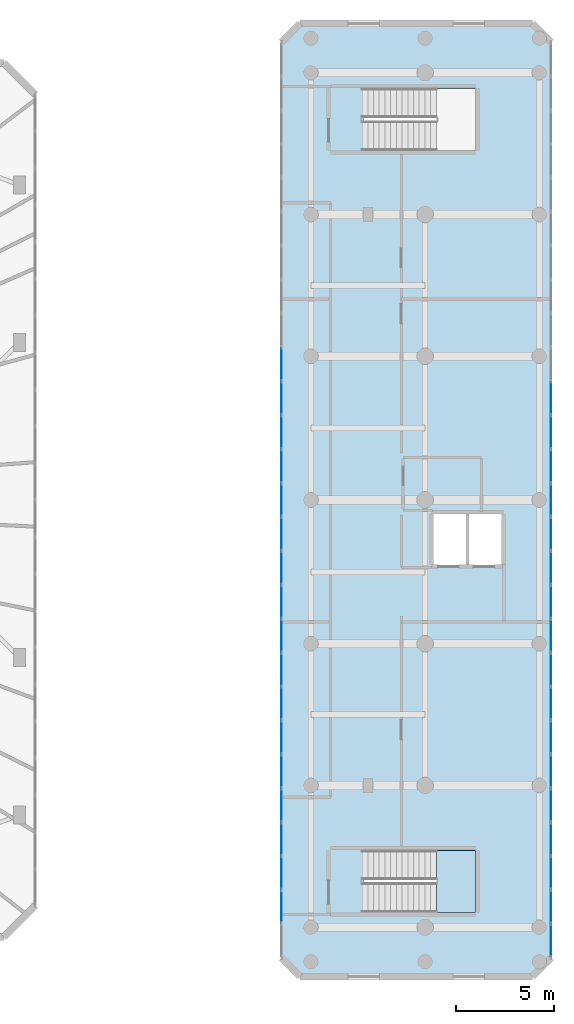
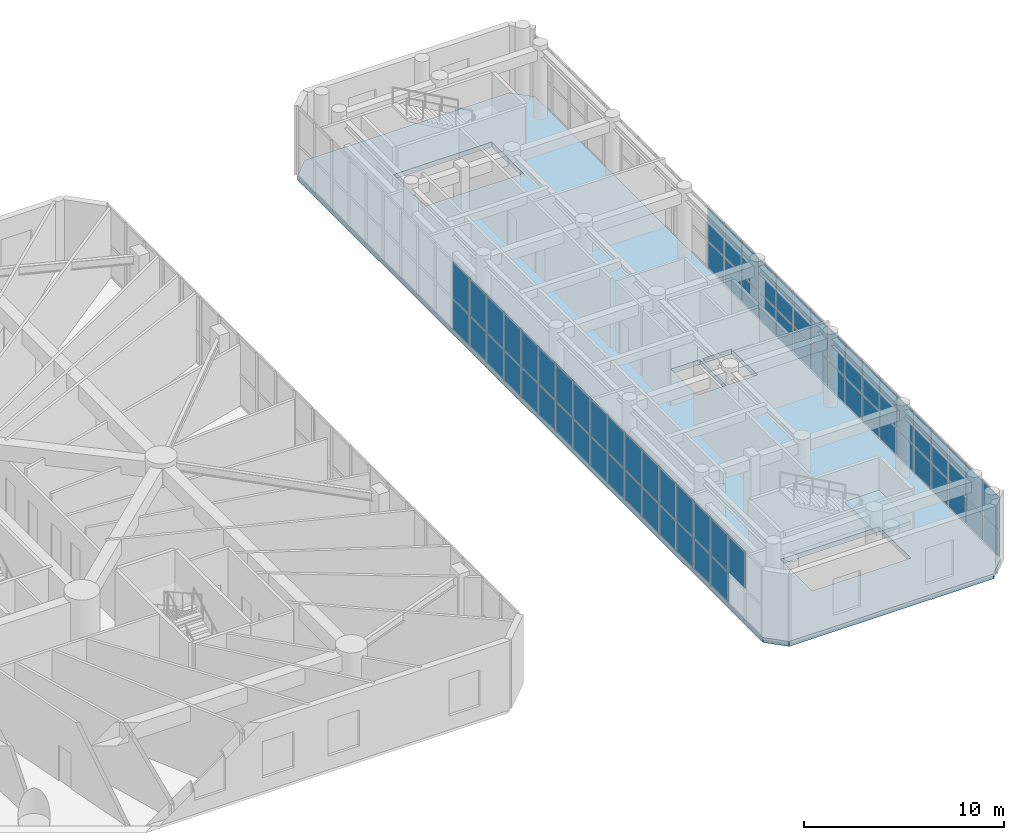
# One storey, part 10 of 24: 67 plates, 2 slabs, 3 elements without a shape of their own.
"""IFC4 building model written with IfcOpenShell, lengths in metres."""

from ifc_helpers import new_model, si_unit, direction, frame, origin, origin_with_axes, origin_2d, place, context, subcontext, project, spatial, polyline, rectangle, outline, extrude, source, transform, mapped, material, layer, layer_set, type_object, element, aggregate, save


model = new_model("IFC4")

# Units and contexts
model_context = context("Model", 3, precision=1e-05, world=origin(), true_north=direction((0.0, 1.0)))
body_context = subcontext(model_context, "Body", "Model", "MODEL_VIEW")
ifc_project = project(units=[si_unit("LENGTHUNIT", "METRE"), si_unit("AREAUNIT", "SQUARE_METRE"), si_unit("VOLUMEUNIT", "CUBIC_METRE"), si_unit("PLANEANGLEUNIT", "RADIAN"), si_unit("MASSUNIT", "GRAM", prefix="KILO")], contexts=[model_context])

# Site, building, storey
site_placement = place(None, origin())
site = spatial("IfcSite", under=ifc_project, at=site_placement, CompositionType="ELEMENT")
building_placement = place(site_placement, origin())
building = spatial("IfcBuilding", under=site, at=building_placement, Name="Karkom Vertical University and Central Library", CompositionType="ELEMENT")
storey_placement = place(building_placement, frame((0.0, 0.0, 13.5)))
storey = spatial("IfcBuildingStorey", under=building, at=storey_placement, Name="L03", CompositionType="ELEMENT", Elevation=13.5)

# Stair, slab
ifc_material_1 = material(Name="Concrete C45/55", Category="concrete")
stair_type = type_object("IfcStairType", Name="INT-STR-ST-LIB", PredefinedType="HALF_TURN_STAIR", material=ifc_material_1)
stair_placement = place(storey_placement, origin())
stair = element("IfcStair", 1, at=stair_placement, inside=storey, type_object=stair_type, Name="Level 03 Central Library South Exit Stair LIB-ST1", PredefinedType="HALF_TURN_STAIR")
ifc_layer_1 = layer(ifc_material_1, 0.199951171875)
ifc_layer_set_1 = layer_set([ifc_layer_1], Name="Concrete C45/55")
slab_type_1 = type_object("IfcSlabType", Name="INT-SLB-LANDING", PredefinedType="LANDING", material=ifc_layer_set_1)
slab_1_placement = place(storey_placement, frame((0.0, 0.0, 2.050048828125)))
slab_1 = element("IfcSlab", 2, at=slab_1_placement, type_object=slab_type_1, Name="LIB-ST1 landing 1", PredefinedType="LANDING", context=body_context, shape_type="SweptSolid", body=[
    extrude(outline(polyline([(75.969970703125, 5.550048828125), (77.949951171875, 5.550048828125), (77.949951171875, 8.7099609375), (75.969970703125, 8.7099609375), (75.969970703125, 5.550048828125)])), origin(), (0.0, 0.0, 1.0), 0.199951171875),
])
aggregate(stair, [slab_1])

# Slab
ifc_layer_2 = layer(ifc_material_1, 0.300048828125)
ifc_layer_set_2 = layer_set([ifc_layer_2], Name="Concrete C45/55")
slab_type_2 = type_object("IfcSlabType", Name="STR-SLB-FLR-300", PredefinedType="FLOOR", material=ifc_layer_set_2)
slab_2_placement = place(storey_placement, frame((0.0, 0.0, -0.300048828125)))
element("IfcSlab", 3, at=slab_2_placement, inside=storey, type_object=slab_type_2, Name="Level 03 Central Library Floor Slab", PredefinedType="FLOOR", context=body_context, shape_type="SweptSolid", body=[
    extrude(outline(polyline([(69.050048828125, 2.300048828125), (80.85009765625, 2.300048828125), (81.800048828125, 3.25), (81.800048828125, 49.75), (80.85009765625, 50.699951171875), (69.050048828125, 50.699951171875), (68.10009765625, 49.75), (68.10009765625, 3.25), (69.050048828125, 2.300048828125)]), holes=[polyline([(72.264892578125, 5.550048828125), (77.949951171875, 5.550048828125), (77.949951171875, 8.7099609375), (72.264892578125, 8.7099609375), (72.264892578125, 5.550048828125)]), polyline([(72.264892578125, 44.25), (77.949951171875, 44.25), (77.949951171875, 47.409912109375), (72.264892578125, 47.409912109375), (72.264892578125, 44.25)]), polyline([(75.800048828125, 23.199951171875), (77.47998046875, 23.199951171875), (77.47998046875, 25.800048828125), (75.800048828125, 25.800048828125), (75.800048828125, 23.199951171875)]), polyline([(77.6201171875, 23.199951171875), (79.300048828125, 23.199951171875), (79.300048828125, 25.800048828125), (77.6201171875, 25.800048828125), (77.6201171875, 23.199951171875)])]), origin(), (0.0, 0.0, 1.0), 0.300048828125),
])

# Curtain wall, plates
ifc_material_2 = material(Name="Aluminium curtain-wall framing and low-E IGU", Category="aluminium")
ifc_layer_3 = layer(ifc_material_2, 0.199951171875)
ifc_layer_set_3 = layer_set([ifc_layer_3], Name="Aluminium curtain-wall framing and low-E IGU")
curtain_wall_type = type_object("IfcCurtainWallType", Name="ENV-CW-1", PredefinedType="USERDEFINED", material=ifc_layer_set_3)
curtain_wall_1_placement = place(storey_placement, origin())
curtain_wall_1 = element("IfcCurtainWall", 4, at=curtain_wall_1_placement, inside=storey, type_object=curtain_wall_type, Name="Level 03 CW-1 Curtain Wall Level 03-CW-1-LIB-3", ObjectType="STICK MULLION GLAZING", PredefinedType="USERDEFINED")
ifc_material_3 = material(Name="Solar-control low-E double glazing 28mm", Category="glass")
ifc_layer_4 = layer(ifc_material_3, 0.028076171875)
ifc_layer_set_4 = layer_set([ifc_layer_4], Name="Solar-control low-E double glazing 28mm")
plate_type = type_object("IfcPlateType", Name="ENV-PLT-GLZ-28", PredefinedType="CURTAIN_PANEL", material=ifc_layer_set_4)
shared_shape_1 = source(origin_with_axes(), body_context, "Body", "SweptSolid", [
    extrude(rectangle(XDim=1.6171875, YDim=0.028076171875, at=origin_2d()), origin(), (0.0, 0.0, 1.0), 1.59375),
])
plate_1_placement = place(storey_placement, frame((81.800048828125, 4.128662109375, 0.070068359375), z_axis=(0.0, 0.0, 1.0), x_axis=(0.0, 1.0, 0.0)))
plate_1 = element("IfcPlate", 5, at=plate_1_placement, type_object=plate_type, Name="CW-1 panel 1.1", PredefinedType="CURTAIN_PANEL", context=body_context, shape_type="MappedRepresentation", body=[
    mapped(shared_shape_1, transform((0.0, 0.0, 0.0), scale=1.0)),
])
shared_shape_2 = source(origin_with_axes(), body_context, "Body", "SweptSolid", [
    extrude(rectangle(XDim=1.6171875, YDim=0.028076171875, at=origin_2d()), origin(), (0.0, 0.0, 1.0), 1.97119140625),
])
plate_2_placement = place(storey_placement, frame((81.800048828125, 4.128662109375, 1.73388671875), z_axis=(0.0, 0.0, 1.0), x_axis=(0.0, 1.0, 0.0)))
plate_2 = element("IfcPlate", 6, at=plate_2_placement, type_object=plate_type, Name="CW-1 panel 1.2", PredefinedType="CURTAIN_PANEL", context=body_context, shape_type="MappedRepresentation", body=[
    mapped(shared_shape_2, transform((0.0, 0.0, 0.0), scale=1.0)),
])
shared_shape_3 = source(origin_with_axes(), body_context, "Body", "SweptSolid", [
    extrude(rectangle(XDim=1.65234375, YDim=0.028076171875, at=origin_2d()), origin(), (0.0, 0.0, 1.0), 1.59375),
])
plate_3_placement = place(storey_placement, frame((81.800048828125, 5.833251953125, 0.070068359375), z_axis=(0.0, 0.0, 1.0), x_axis=(0.0, 1.0, 0.0)))
plate_3 = element("IfcPlate", 7, at=plate_3_placement, type_object=plate_type, Name="CW-1 panel 2.1", PredefinedType="CURTAIN_PANEL", context=body_context, shape_type="MappedRepresentation", body=[
    mapped(shared_shape_3, transform((0.0, 0.0, 0.0), scale=1.0)),
])
plate_4_placement = place(storey_placement, frame((81.800048828125, 7.5556640625, 0.070068359375), z_axis=(0.0, 0.0, 1.0), x_axis=(0.0, 1.0, 0.0)))
plate_4 = element("IfcPlate", 8, at=plate_4_placement, type_object=plate_type, Name="CW-1 panel 3.1", PredefinedType="CURTAIN_PANEL", context=body_context, shape_type="MappedRepresentation", body=[
    mapped(shared_shape_3, transform((0.0, 0.0, 0.0), scale=1.0)),
])
plate_5_placement = place(storey_placement, frame((81.800048828125, 9.27783203125, 0.070068359375), z_axis=(0.0, 0.0, 1.0), x_axis=(0.0, 1.0, 0.0)))
plate_5 = element("IfcPlate", 9, at=plate_5_placement, type_object=plate_type, Name="CW-1 panel 4.1", PredefinedType="CURTAIN_PANEL", context=body_context, shape_type="MappedRepresentation", body=[
    mapped(shared_shape_3, transform((0.0, 0.0, 0.0), scale=1.0)),
])
plate_6_placement = place(storey_placement, frame((81.800048828125, 11.0, 0.070068359375), z_axis=(0.0, 0.0, 1.0), x_axis=(0.0, 1.0, 0.0)))
plate_6 = element("IfcPlate", 10, at=plate_6_placement, type_object=plate_type, Name="CW-1 panel 5.1", PredefinedType="CURTAIN_PANEL", context=body_context, shape_type="MappedRepresentation", body=[
    mapped(shared_shape_3, transform((0.0, 0.0, 0.0), scale=1.0)),
])
plate_7_placement = place(storey_placement, frame((81.800048828125, 12.72216796875, 0.070068359375), z_axis=(0.0, 0.0, 1.0), x_axis=(0.0, 1.0, 0.0)))
plate_7 = element("IfcPlate", 11, at=plate_7_placement, type_object=plate_type, Name="CW-1 panel 6.1", PredefinedType="CURTAIN_PANEL", context=body_context, shape_type="MappedRepresentation", body=[
    mapped(shared_shape_3, transform((0.0, 0.0, 0.0), scale=1.0)),
])
plate_8_placement = place(storey_placement, frame((81.800048828125, 14.4443359375, 0.070068359375), z_axis=(0.0, 0.0, 1.0), x_axis=(0.0, 1.0, 0.0)))
plate_8 = element("IfcPlate", 12, at=plate_8_placement, type_object=plate_type, Name="CW-1 panel 7.1", PredefinedType="CURTAIN_PANEL", context=body_context, shape_type="MappedRepresentation", body=[
    mapped(shared_shape_3, transform((0.0, 0.0, 0.0), scale=1.0)),
])
plate_9_placement = place(storey_placement, frame((81.800048828125, 16.166748046875, 0.070068359375), z_axis=(0.0, 0.0, 1.0), x_axis=(0.0, 1.0, 0.0)))
plate_9 = element("IfcPlate", 13, at=plate_9_placement, type_object=plate_type, Name="CW-1 panel 8.1", PredefinedType="CURTAIN_PANEL", context=body_context, shape_type="MappedRepresentation", body=[
    mapped(shared_shape_3, transform((0.0, 0.0, 0.0), scale=1.0)),
])
plate_10_placement = place(storey_placement, frame((81.800048828125, 17.888916015625, 0.070068359375), z_axis=(0.0, 0.0, 1.0), x_axis=(0.0, 1.0, 0.0)))
plate_10 = element("IfcPlate", 14, at=plate_10_placement, type_object=plate_type, Name="CW-1 panel 9.1", PredefinedType="CURTAIN_PANEL", context=body_context, shape_type="MappedRepresentation", body=[
    mapped(shared_shape_3, transform((0.0, 0.0, 0.0), scale=1.0)),
])
plate_11_placement = place(storey_placement, frame((81.800048828125, 19.611083984375, 0.070068359375), z_axis=(0.0, 0.0, 1.0), x_axis=(0.0, 1.0, 0.0)))
plate_11 = element("IfcPlate", 15, at=plate_11_placement, type_object=plate_type, Name="CW-1 panel 10.1", PredefinedType="CURTAIN_PANEL", context=body_context, shape_type="MappedRepresentation", body=[
    mapped(shared_shape_3, transform((0.0, 0.0, 0.0), scale=1.0)),
])
plate_12_placement = place(storey_placement, frame((81.800048828125, 21.333251953125, 0.070068359375), z_axis=(0.0, 0.0, 1.0), x_axis=(0.0, 1.0, 0.0)))
plate_12 = element("IfcPlate", 16, at=plate_12_placement, type_object=plate_type, Name="CW-1 panel 11.1", PredefinedType="CURTAIN_PANEL", context=body_context, shape_type="MappedRepresentation", body=[
    mapped(shared_shape_3, transform((0.0, 0.0, 0.0), scale=1.0)),
])
plate_13_placement = place(storey_placement, frame((81.800048828125, 23.0556640625, 0.070068359375), z_axis=(0.0, 0.0, 1.0), x_axis=(0.0, 1.0, 0.0)))
plate_13 = element("IfcPlate", 17, at=plate_13_placement, type_object=plate_type, Name="CW-1 panel 12.1", PredefinedType="CURTAIN_PANEL", context=body_context, shape_type="MappedRepresentation", body=[
    mapped(shared_shape_3, transform((0.0, 0.0, 0.0), scale=1.0)),
])
plate_14_placement = place(storey_placement, frame((81.800048828125, 24.77783203125, 0.070068359375), z_axis=(0.0, 0.0, 1.0), x_axis=(0.0, 1.0, 0.0)))
plate_14 = element("IfcPlate", 18, at=plate_14_placement, type_object=plate_type, Name="CW-1 panel 13.1", PredefinedType="CURTAIN_PANEL", context=body_context, shape_type="MappedRepresentation", body=[
    mapped(shared_shape_3, transform((0.0, 0.0, 0.0), scale=1.0)),
])
plate_15_placement = place(storey_placement, frame((81.800048828125, 26.5, 0.070068359375), z_axis=(0.0, 0.0, 1.0), x_axis=(0.0, 1.0, 0.0)))
plate_15 = element("IfcPlate", 19, at=plate_15_placement, type_object=plate_type, Name="CW-1 panel 14.1", PredefinedType="CURTAIN_PANEL", context=body_context, shape_type="MappedRepresentation", body=[
    mapped(shared_shape_3, transform((0.0, 0.0, 0.0), scale=1.0)),
])
plate_16_placement = place(storey_placement, frame((81.800048828125, 28.22216796875, 0.070068359375), z_axis=(0.0, 0.0, 1.0), x_axis=(0.0, 1.0, 0.0)))
plate_16 = element("IfcPlate", 20, at=plate_16_placement, type_object=plate_type, Name="CW-1 panel 15.1", PredefinedType="CURTAIN_PANEL", context=body_context, shape_type="MappedRepresentation", body=[
    mapped(shared_shape_3, transform((0.0, 0.0, 0.0), scale=1.0)),
])
plate_17_placement = place(storey_placement, frame((81.800048828125, 29.9443359375, 0.070068359375), z_axis=(0.0, 0.0, 1.0), x_axis=(0.0, 1.0, 0.0)))
plate_17 = element("IfcPlate", 21, at=plate_17_placement, type_object=plate_type, Name="CW-1 panel 16.1", PredefinedType="CURTAIN_PANEL", context=body_context, shape_type="MappedRepresentation", body=[
    mapped(shared_shape_3, transform((0.0, 0.0, 0.0), scale=1.0)),
])
plate_18_placement = place(storey_placement, frame((81.800048828125, 31.666748046875, 0.070068359375), z_axis=(0.0, 0.0, 1.0), x_axis=(0.0, 1.0, 0.0)))
plate_18 = element("IfcPlate", 22, at=plate_18_placement, type_object=plate_type, Name="CW-1 panel 17.1", PredefinedType="CURTAIN_PANEL", context=body_context, shape_type="MappedRepresentation", body=[
    mapped(shared_shape_3, transform((0.0, 0.0, 0.0), scale=1.0)),
])
shared_shape_4 = source(origin_with_axes(), body_context, "Body", "SweptSolid", [
    extrude(rectangle(XDim=1.65234375, YDim=0.028076171875, at=origin_2d()), origin(), (0.0, 0.0, 1.0), 1.97119140625),
])
plate_19_placement = place(storey_placement, frame((81.800048828125, 5.833251953125, 1.73388671875), z_axis=(0.0, 0.0, 1.0), x_axis=(0.0, 1.0, 0.0)))
plate_19 = element("IfcPlate", 23, at=plate_19_placement, type_object=plate_type, Name="CW-1 panel 2.2", PredefinedType="CURTAIN_PANEL", context=body_context, shape_type="MappedRepresentation", body=[
    mapped(shared_shape_4, transform((0.0, 0.0, 0.0), scale=1.0)),
])
plate_20_placement = place(storey_placement, frame((81.800048828125, 7.5556640625, 1.73388671875), z_axis=(0.0, 0.0, 1.0), x_axis=(0.0, 1.0, 0.0)))
plate_20 = element("IfcPlate", 24, at=plate_20_placement, type_object=plate_type, Name="CW-1 panel 3.2", PredefinedType="CURTAIN_PANEL", context=body_context, shape_type="MappedRepresentation", body=[
    mapped(shared_shape_4, transform((0.0, 0.0, 0.0), scale=1.0)),
])
plate_21_placement = place(storey_placement, frame((81.800048828125, 9.27783203125, 1.73388671875), z_axis=(0.0, 0.0, 1.0), x_axis=(0.0, 1.0, 0.0)))
plate_21 = element("IfcPlate", 25, at=plate_21_placement, type_object=plate_type, Name="CW-1 panel 4.2", PredefinedType="CURTAIN_PANEL", context=body_context, shape_type="MappedRepresentation", body=[
    mapped(shared_shape_4, transform((0.0, 0.0, 0.0), scale=1.0)),
])
plate_22_placement = place(storey_placement, frame((81.800048828125, 11.0, 1.73388671875), z_axis=(0.0, 0.0, 1.0), x_axis=(0.0, 1.0, 0.0)))
plate_22 = element("IfcPlate", 26, at=plate_22_placement, type_object=plate_type, Name="CW-1 panel 5.2", PredefinedType="CURTAIN_PANEL", context=body_context, shape_type="MappedRepresentation", body=[
    mapped(shared_shape_4, transform((0.0, 0.0, 0.0), scale=1.0)),
])
plate_23_placement = place(storey_placement, frame((81.800048828125, 12.72216796875, 1.73388671875), z_axis=(0.0, 0.0, 1.0), x_axis=(0.0, 1.0, 0.0)))
plate_23 = element("IfcPlate", 27, at=plate_23_placement, type_object=plate_type, Name="CW-1 panel 6.2", PredefinedType="CURTAIN_PANEL", context=body_context, shape_type="MappedRepresentation", body=[
    mapped(shared_shape_4, transform((0.0, 0.0, 0.0), scale=1.0)),
])
plate_24_placement = place(storey_placement, frame((81.800048828125, 14.4443359375, 1.73388671875), z_axis=(0.0, 0.0, 1.0), x_axis=(0.0, 1.0, 0.0)))
plate_24 = element("IfcPlate", 28, at=plate_24_placement, type_object=plate_type, Name="CW-1 panel 7.2", PredefinedType="CURTAIN_PANEL", context=body_context, shape_type="MappedRepresentation", body=[
    mapped(shared_shape_4, transform((0.0, 0.0, 0.0), scale=1.0)),
])
plate_25_placement = place(storey_placement, frame((81.800048828125, 16.166748046875, 1.73388671875), z_axis=(0.0, 0.0, 1.0), x_axis=(0.0, 1.0, 0.0)))
plate_25 = element("IfcPlate", 29, at=plate_25_placement, type_object=plate_type, Name="CW-1 panel 8.2", PredefinedType="CURTAIN_PANEL", context=body_context, shape_type="MappedRepresentation", body=[
    mapped(shared_shape_4, transform((0.0, 0.0, 0.0), scale=1.0)),
])
plate_26_placement = place(storey_placement, frame((81.800048828125, 17.888916015625, 1.73388671875), z_axis=(0.0, 0.0, 1.0), x_axis=(0.0, 1.0, 0.0)))
plate_26 = element("IfcPlate", 30, at=plate_26_placement, type_object=plate_type, Name="CW-1 panel 9.2", PredefinedType="CURTAIN_PANEL", context=body_context, shape_type="MappedRepresentation", body=[
    mapped(shared_shape_4, transform((0.0, 0.0, 0.0), scale=1.0)),
])
plate_27_placement = place(storey_placement, frame((81.800048828125, 19.611083984375, 1.73388671875), z_axis=(0.0, 0.0, 1.0), x_axis=(0.0, 1.0, 0.0)))
plate_27 = element("IfcPlate", 31, at=plate_27_placement, type_object=plate_type, Name="CW-1 panel 10.2", PredefinedType="CURTAIN_PANEL", context=body_context, shape_type="MappedRepresentation", body=[
    mapped(shared_shape_4, transform((0.0, 0.0, 0.0), scale=1.0)),
])
plate_28_placement = place(storey_placement, frame((81.800048828125, 21.333251953125, 1.73388671875), z_axis=(0.0, 0.0, 1.0), x_axis=(0.0, 1.0, 0.0)))
plate_28 = element("IfcPlate", 32, at=plate_28_placement, type_object=plate_type, Name="CW-1 panel 11.2", PredefinedType="CURTAIN_PANEL", context=body_context, shape_type="MappedRepresentation", body=[
    mapped(shared_shape_4, transform((0.0, 0.0, 0.0), scale=1.0)),
])
plate_29_placement = place(storey_placement, frame((81.800048828125, 23.0556640625, 1.73388671875), z_axis=(0.0, 0.0, 1.0), x_axis=(0.0, 1.0, 0.0)))
plate_29 = element("IfcPlate", 33, at=plate_29_placement, type_object=plate_type, Name="CW-1 panel 12.2", PredefinedType="CURTAIN_PANEL", context=body_context, shape_type="MappedRepresentation", body=[
    mapped(shared_shape_4, transform((0.0, 0.0, 0.0), scale=1.0)),
])
plate_30_placement = place(storey_placement, frame((81.800048828125, 24.77783203125, 1.73388671875), z_axis=(0.0, 0.0, 1.0), x_axis=(0.0, 1.0, 0.0)))
plate_30 = element("IfcPlate", 34, at=plate_30_placement, type_object=plate_type, Name="CW-1 panel 13.2", PredefinedType="CURTAIN_PANEL", context=body_context, shape_type="MappedRepresentation", body=[
    mapped(shared_shape_4, transform((0.0, 0.0, 0.0), scale=1.0)),
])
plate_31_placement = place(storey_placement, frame((81.800048828125, 26.5, 1.73388671875), z_axis=(0.0, 0.0, 1.0), x_axis=(0.0, 1.0, 0.0)))
plate_31 = element("IfcPlate", 35, at=plate_31_placement, type_object=plate_type, Name="CW-1 panel 14.2", PredefinedType="CURTAIN_PANEL", context=body_context, shape_type="MappedRepresentation", body=[
    mapped(shared_shape_4, transform((0.0, 0.0, 0.0), scale=1.0)),
])
plate_32_placement = place(storey_placement, frame((81.800048828125, 28.22216796875, 1.73388671875), z_axis=(0.0, 0.0, 1.0), x_axis=(0.0, 1.0, 0.0)))
plate_32 = element("IfcPlate", 36, at=plate_32_placement, type_object=plate_type, Name="CW-1 panel 15.2", PredefinedType="CURTAIN_PANEL", context=body_context, shape_type="MappedRepresentation", body=[
    mapped(shared_shape_4, transform((0.0, 0.0, 0.0), scale=1.0)),
])
plate_33_placement = place(storey_placement, frame((81.800048828125, 29.9443359375, 1.73388671875), z_axis=(0.0, 0.0, 1.0), x_axis=(0.0, 1.0, 0.0)))
plate_33 = element("IfcPlate", 37, at=plate_33_placement, type_object=plate_type, Name="CW-1 panel 16.2", PredefinedType="CURTAIN_PANEL", context=body_context, shape_type="MappedRepresentation", body=[
    mapped(shared_shape_4, transform((0.0, 0.0, 0.0), scale=1.0)),
])
plate_34_placement = place(storey_placement, frame((81.800048828125, 31.666748046875, 1.73388671875), z_axis=(0.0, 0.0, 1.0), x_axis=(0.0, 1.0, 0.0)))
plate_34 = element("IfcPlate", 38, at=plate_34_placement, type_object=plate_type, Name="CW-1 panel 17.2", PredefinedType="CURTAIN_PANEL", context=body_context, shape_type="MappedRepresentation", body=[
    mapped(shared_shape_4, transform((0.0, 0.0, 0.0), scale=1.0)),
])
aggregate(curtain_wall_1, [plate_1, plate_2, plate_3, plate_19, plate_4, plate_20, plate_5, plate_21, plate_6, plate_22, plate_7, plate_23, plate_8, plate_24, plate_9, plate_25, plate_10, plate_26, plate_11, plate_27, plate_12, plate_28, plate_13, plate_29, plate_14, plate_30, plate_15, plate_31, plate_16, plate_32, plate_17, plate_33, plate_18, plate_34])

curtain_wall_2_placement = place(storey_placement, origin())
curtain_wall_2 = element("IfcCurtainWall", 39, at=curtain_wall_2_placement, inside=storey, type_object=curtain_wall_type, Name="Level 03 CW-1 Curtain Wall Level 03-CW-1-LIB-7", ObjectType="STICK MULLION GLAZING", PredefinedType="USERDEFINED")
shared_shape_5 = source(origin_with_axes(), body_context, "Body", "SweptSolid", [
    extrude(rectangle(XDim=1.65234375, YDim=0.028076171875, at=origin_2d()), origin(), (0.0, 0.0, 1.0), 1.796142578125),
])
plate_35_placement = place(storey_placement, frame((68.10009765625, 33.388916015625, 0.06982421875), z_axis=(0.0, 0.0, 1.0), x_axis=(0.0, -1.0, 0.0)))
plate_35 = element("IfcPlate", 40, at=plate_35_placement, type_object=plate_type, Name="CW-1 panel 10.1", PredefinedType="CURTAIN_PANEL", context=body_context, shape_type="MappedRepresentation", body=[
    mapped(shared_shape_5, transform((0.0, 0.0, 0.0), scale=1.0)),
])
plate_36_placement = place(storey_placement, frame((68.10009765625, 31.666748046875, 0.06982421875), z_axis=(0.0, 0.0, 1.0), x_axis=(0.0, -1.0, 0.0)))
plate_36 = element("IfcPlate", 41, at=plate_36_placement, type_object=plate_type, Name="CW-1 panel 11.1", PredefinedType="CURTAIN_PANEL", context=body_context, shape_type="MappedRepresentation", body=[
    mapped(shared_shape_5, transform((0.0, 0.0, 0.0), scale=1.0)),
])
plate_37_placement = place(storey_placement, frame((68.10009765625, 29.9443359375, 0.06982421875), z_axis=(0.0, 0.0, 1.0), x_axis=(0.0, -1.0, 0.0)))
plate_37 = element("IfcPlate", 42, at=plate_37_placement, type_object=plate_type, Name="CW-1 panel 12.1", PredefinedType="CURTAIN_PANEL", context=body_context, shape_type="MappedRepresentation", body=[
    mapped(shared_shape_5, transform((0.0, 0.0, 0.0), scale=1.0)),
])
plate_38_placement = place(storey_placement, frame((68.10009765625, 28.22216796875, 0.06982421875), z_axis=(0.0, 0.0, 1.0), x_axis=(0.0, -1.0, 0.0)))
plate_38 = element("IfcPlate", 43, at=plate_38_placement, type_object=plate_type, Name="CW-1 panel 13.1", PredefinedType="CURTAIN_PANEL", context=body_context, shape_type="MappedRepresentation", body=[
    mapped(shared_shape_5, transform((0.0, 0.0, 0.0), scale=1.0)),
])
plate_39_placement = place(storey_placement, frame((68.10009765625, 26.5, 0.06982421875), z_axis=(0.0, 0.0, 1.0), x_axis=(0.0, -1.0, 0.0)))
plate_39 = element("IfcPlate", 44, at=plate_39_placement, type_object=plate_type, Name="CW-1 panel 14.1", PredefinedType="CURTAIN_PANEL", context=body_context, shape_type="MappedRepresentation", body=[
    mapped(shared_shape_5, transform((0.0, 0.0, 0.0), scale=1.0)),
])
plate_40_placement = place(storey_placement, frame((68.10009765625, 24.77783203125, 0.06982421875), z_axis=(0.0, 0.0, 1.0), x_axis=(0.0, -1.0, 0.0)))
plate_40 = element("IfcPlate", 45, at=plate_40_placement, type_object=plate_type, Name="CW-1 panel 15.1", PredefinedType="CURTAIN_PANEL", context=body_context, shape_type="MappedRepresentation", body=[
    mapped(shared_shape_5, transform((0.0, 0.0, 0.0), scale=1.0)),
])
plate_41_placement = place(storey_placement, frame((68.10009765625, 23.0556640625, 0.06982421875), z_axis=(0.0, 0.0, 1.0), x_axis=(0.0, -1.0, 0.0)))
plate_41 = element("IfcPlate", 46, at=plate_41_placement, type_object=plate_type, Name="CW-1 panel 16.1", PredefinedType="CURTAIN_PANEL", context=body_context, shape_type="MappedRepresentation", body=[
    mapped(shared_shape_5, transform((0.0, 0.0, 0.0), scale=1.0)),
])
plate_42_placement = place(storey_placement, frame((68.10009765625, 21.333251953125, 0.06982421875), z_axis=(0.0, 0.0, 1.0), x_axis=(0.0, -1.0, 0.0)))
plate_42 = element("IfcPlate", 47, at=plate_42_placement, type_object=plate_type, Name="CW-1 panel 17.1", PredefinedType="CURTAIN_PANEL", context=body_context, shape_type="MappedRepresentation", body=[
    mapped(shared_shape_5, transform((0.0, 0.0, 0.0), scale=1.0)),
])
plate_43_placement = place(storey_placement, frame((68.10009765625, 19.611083984375, 0.06982421875), z_axis=(0.0, 0.0, 1.0), x_axis=(0.0, -1.0, 0.0)))
plate_43 = element("IfcPlate", 48, at=plate_43_placement, type_object=plate_type, Name="CW-1 panel 18.1", PredefinedType="CURTAIN_PANEL", context=body_context, shape_type="MappedRepresentation", body=[
    mapped(shared_shape_5, transform((0.0, 0.0, 0.0), scale=1.0)),
])
plate_44_placement = place(storey_placement, frame((68.10009765625, 17.888916015625, 0.06982421875), z_axis=(0.0, 0.0, 1.0), x_axis=(0.0, -1.0, 0.0)))
plate_44 = element("IfcPlate", 49, at=plate_44_placement, type_object=plate_type, Name="CW-1 panel 19.1", PredefinedType="CURTAIN_PANEL", context=body_context, shape_type="MappedRepresentation", body=[
    mapped(shared_shape_5, transform((0.0, 0.0, 0.0), scale=1.0)),
])
plate_45_placement = place(storey_placement, frame((68.10009765625, 16.166748046875, 0.06982421875), z_axis=(0.0, 0.0, 1.0), x_axis=(0.0, -1.0, 0.0)))
plate_45 = element("IfcPlate", 50, at=plate_45_placement, type_object=plate_type, Name="CW-1 panel 20.1", PredefinedType="CURTAIN_PANEL", context=body_context, shape_type="MappedRepresentation", body=[
    mapped(shared_shape_5, transform((0.0, 0.0, 0.0), scale=1.0)),
])
plate_46_placement = place(storey_placement, frame((68.10009765625, 14.4443359375, 0.06982421875), z_axis=(0.0, 0.0, 1.0), x_axis=(0.0, -1.0, 0.0)))
plate_46 = element("IfcPlate", 51, at=plate_46_placement, type_object=plate_type, Name="CW-1 panel 21.1", PredefinedType="CURTAIN_PANEL", context=body_context, shape_type="MappedRepresentation", body=[
    mapped(shared_shape_5, transform((0.0, 0.0, 0.0), scale=1.0)),
])
plate_47_placement = place(storey_placement, frame((68.10009765625, 12.72216796875, 0.06982421875), z_axis=(0.0, 0.0, 1.0), x_axis=(0.0, -1.0, 0.0)))
plate_47 = element("IfcPlate", 52, at=plate_47_placement, type_object=plate_type, Name="CW-1 panel 22.1", PredefinedType="CURTAIN_PANEL", context=body_context, shape_type="MappedRepresentation", body=[
    mapped(shared_shape_5, transform((0.0, 0.0, 0.0), scale=1.0)),
])
plate_48_placement = place(storey_placement, frame((68.10009765625, 11.0, 0.06982421875), z_axis=(0.0, 0.0, 1.0), x_axis=(0.0, -1.0, 0.0)))
plate_48 = element("IfcPlate", 53, at=plate_48_placement, type_object=plate_type, Name="CW-1 panel 23.1", PredefinedType="CURTAIN_PANEL", context=body_context, shape_type="MappedRepresentation", body=[
    mapped(shared_shape_5, transform((0.0, 0.0, 0.0), scale=1.0)),
])
plate_49_placement = place(storey_placement, frame((68.10009765625, 9.27783203125, 0.06982421875), z_axis=(0.0, 0.0, 1.0), x_axis=(0.0, -1.0, 0.0)))
plate_49 = element("IfcPlate", 54, at=plate_49_placement, type_object=plate_type, Name="CW-1 panel 24.1", PredefinedType="CURTAIN_PANEL", context=body_context, shape_type="MappedRepresentation", body=[
    mapped(shared_shape_5, transform((0.0, 0.0, 0.0), scale=1.0)),
])
plate_50_placement = place(storey_placement, frame((68.10009765625, 7.5556640625, 0.06982421875), z_axis=(0.0, 0.0, 1.0), x_axis=(0.0, -1.0, 0.0)))
plate_50 = element("IfcPlate", 55, at=plate_50_placement, type_object=plate_type, Name="CW-1 panel 25.1", PredefinedType="CURTAIN_PANEL", context=body_context, shape_type="MappedRepresentation", body=[
    mapped(shared_shape_5, transform((0.0, 0.0, 0.0), scale=1.0)),
])
shared_shape_6 = source(origin_with_axes(), body_context, "Body", "SweptSolid", [
    extrude(rectangle(XDim=1.65234375, YDim=0.028076171875, at=origin_2d()), origin(), (0.0, 0.0, 1.0), 2.21875),
])
plate_51_placement = place(storey_placement, frame((68.10009765625, 33.388916015625, 1.936279296875), z_axis=(0.0, 0.0, 1.0), x_axis=(0.0, -1.0, 0.0)))
plate_51 = element("IfcPlate", 56, at=plate_51_placement, type_object=plate_type, Name="CW-1 panel 10.2", PredefinedType="CURTAIN_PANEL", context=body_context, shape_type="MappedRepresentation", body=[
    mapped(shared_shape_6, transform((0.0, 0.0, 0.0), scale=1.0)),
])
plate_52_placement = place(storey_placement, frame((68.10009765625, 31.666748046875, 1.936279296875), z_axis=(0.0, 0.0, 1.0), x_axis=(0.0, -1.0, 0.0)))
plate_52 = element("IfcPlate", 57, at=plate_52_placement, type_object=plate_type, Name="CW-1 panel 11.2", PredefinedType="CURTAIN_PANEL", context=body_context, shape_type="MappedRepresentation", body=[
    mapped(shared_shape_6, transform((0.0, 0.0, 0.0), scale=1.0)),
])
plate_53_placement = place(storey_placement, frame((68.10009765625, 29.9443359375, 1.936279296875), z_axis=(0.0, 0.0, 1.0), x_axis=(0.0, -1.0, 0.0)))
plate_53 = element("IfcPlate", 58, at=plate_53_placement, type_object=plate_type, Name="CW-1 panel 12.2", PredefinedType="CURTAIN_PANEL", context=body_context, shape_type="MappedRepresentation", body=[
    mapped(shared_shape_6, transform((0.0, 0.0, 0.0), scale=1.0)),
])
plate_54_placement = place(storey_placement, frame((68.10009765625, 28.22216796875, 1.936279296875), z_axis=(0.0, 0.0, 1.0), x_axis=(0.0, -1.0, 0.0)))
plate_54 = element("IfcPlate", 59, at=plate_54_placement, type_object=plate_type, Name="CW-1 panel 13.2", PredefinedType="CURTAIN_PANEL", context=body_context, shape_type="MappedRepresentation", body=[
    mapped(shared_shape_6, transform((0.0, 0.0, 0.0), scale=1.0)),
])
plate_55_placement = place(storey_placement, frame((68.10009765625, 26.5, 1.936279296875), z_axis=(0.0, 0.0, 1.0), x_axis=(0.0, -1.0, 0.0)))
plate_55 = element("IfcPlate", 60, at=plate_55_placement, type_object=plate_type, Name="CW-1 panel 14.2", PredefinedType="CURTAIN_PANEL", context=body_context, shape_type="MappedRepresentation", body=[
    mapped(shared_shape_6, transform((0.0, 0.0, 0.0), scale=1.0)),
])
plate_56_placement = place(storey_placement, frame((68.10009765625, 24.77783203125, 1.936279296875), z_axis=(0.0, 0.0, 1.0), x_axis=(0.0, -1.0, 0.0)))
plate_56 = element("IfcPlate", 61, at=plate_56_placement, type_object=plate_type, Name="CW-1 panel 15.2", PredefinedType="CURTAIN_PANEL", context=body_context, shape_type="MappedRepresentation", body=[
    mapped(shared_shape_6, transform((0.0, 0.0, 0.0), scale=1.0)),
])
plate_57_placement = place(storey_placement, frame((68.10009765625, 23.0556640625, 1.936279296875), z_axis=(0.0, 0.0, 1.0), x_axis=(0.0, -1.0, 0.0)))
plate_57 = element("IfcPlate", 62, at=plate_57_placement, type_object=plate_type, Name="CW-1 panel 16.2", PredefinedType="CURTAIN_PANEL", context=body_context, shape_type="MappedRepresentation", body=[
    mapped(shared_shape_6, transform((0.0, 0.0, 0.0), scale=1.0)),
])
plate_58_placement = place(storey_placement, frame((68.10009765625, 21.333251953125, 1.936279296875), z_axis=(0.0, 0.0, 1.0), x_axis=(0.0, -1.0, 0.0)))
plate_58 = element("IfcPlate", 63, at=plate_58_placement, type_object=plate_type, Name="CW-1 panel 17.2", PredefinedType="CURTAIN_PANEL", context=body_context, shape_type="MappedRepresentation", body=[
    mapped(shared_shape_6, transform((0.0, 0.0, 0.0), scale=1.0)),
])
plate_59_placement = place(storey_placement, frame((68.10009765625, 19.611083984375, 1.936279296875), z_axis=(0.0, 0.0, 1.0), x_axis=(0.0, -1.0, 0.0)))
plate_59 = element("IfcPlate", 64, at=plate_59_placement, type_object=plate_type, Name="CW-1 panel 18.2", PredefinedType="CURTAIN_PANEL", context=body_context, shape_type="MappedRepresentation", body=[
    mapped(shared_shape_6, transform((0.0, 0.0, 0.0), scale=1.0)),
])
plate_60_placement = place(storey_placement, frame((68.10009765625, 17.888916015625, 1.936279296875), z_axis=(0.0, 0.0, 1.0), x_axis=(0.0, -1.0, 0.0)))
plate_60 = element("IfcPlate", 65, at=plate_60_placement, type_object=plate_type, Name="CW-1 panel 19.2", PredefinedType="CURTAIN_PANEL", context=body_context, shape_type="MappedRepresentation", body=[
    mapped(shared_shape_6, transform((0.0, 0.0, 0.0), scale=1.0)),
])
plate_61_placement = place(storey_placement, frame((68.10009765625, 16.166748046875, 1.936279296875), z_axis=(0.0, 0.0, 1.0), x_axis=(0.0, -1.0, 0.0)))
plate_61 = element("IfcPlate", 66, at=plate_61_placement, type_object=plate_type, Name="CW-1 panel 20.2", PredefinedType="CURTAIN_PANEL", context=body_context, shape_type="MappedRepresentation", body=[
    mapped(shared_shape_6, transform((0.0, 0.0, 0.0), scale=1.0)),
])
plate_62_placement = place(storey_placement, frame((68.10009765625, 14.4443359375, 1.936279296875), z_axis=(0.0, 0.0, 1.0), x_axis=(0.0, -1.0, 0.0)))
plate_62 = element("IfcPlate", 67, at=plate_62_placement, type_object=plate_type, Name="CW-1 panel 21.2", PredefinedType="CURTAIN_PANEL", context=body_context, shape_type="MappedRepresentation", body=[
    mapped(shared_shape_6, transform((0.0, 0.0, 0.0), scale=1.0)),
])
plate_63_placement = place(storey_placement, frame((68.10009765625, 12.72216796875, 1.936279296875), z_axis=(0.0, 0.0, 1.0), x_axis=(0.0, -1.0, 0.0)))
plate_63 = element("IfcPlate", 68, at=plate_63_placement, type_object=plate_type, Name="CW-1 panel 22.2", PredefinedType="CURTAIN_PANEL", context=body_context, shape_type="MappedRepresentation", body=[
    mapped(shared_shape_6, transform((0.0, 0.0, 0.0), scale=1.0)),
])
plate_64_placement = place(storey_placement, frame((68.10009765625, 11.0, 1.936279296875), z_axis=(0.0, 0.0, 1.0), x_axis=(0.0, -1.0, 0.0)))
plate_64 = element("IfcPlate", 69, at=plate_64_placement, type_object=plate_type, Name="CW-1 panel 23.2", PredefinedType="CURTAIN_PANEL", context=body_context, shape_type="MappedRepresentation", body=[
    mapped(shared_shape_6, transform((0.0, 0.0, 0.0), scale=1.0)),
])
plate_65_placement = place(storey_placement, frame((68.10009765625, 9.27783203125, 1.936279296875), z_axis=(0.0, 0.0, 1.0), x_axis=(0.0, -1.0, 0.0)))
plate_65 = element("IfcPlate", 70, at=plate_65_placement, type_object=plate_type, Name="CW-1 panel 24.2", PredefinedType="CURTAIN_PANEL", context=body_context, shape_type="MappedRepresentation", body=[
    mapped(shared_shape_6, transform((0.0, 0.0, 0.0), scale=1.0)),
])
plate_66_placement = place(storey_placement, frame((68.10009765625, 7.5556640625, 1.936279296875), z_axis=(0.0, 0.0, 1.0), x_axis=(0.0, -1.0, 0.0)))
plate_66 = element("IfcPlate", 71, at=plate_66_placement, type_object=plate_type, Name="CW-1 panel 25.2", PredefinedType="CURTAIN_PANEL", context=body_context, shape_type="MappedRepresentation", body=[
    mapped(shared_shape_6, transform((0.0, 0.0, 0.0), scale=1.0)),
])
plate_67_placement = place(storey_placement, frame((68.10009765625, 5.833251953125, 1.936279296875), z_axis=(0.0, 0.0, 1.0), x_axis=(0.0, -1.0, 0.0)))
plate_67 = element("IfcPlate", 72, at=plate_67_placement, type_object=plate_type, Name="CW-1 panel 26.2", PredefinedType="CURTAIN_PANEL", context=body_context, shape_type="MappedRepresentation", body=[
    mapped(shared_shape_6, transform((0.0, 0.0, 0.0), scale=1.0)),
])
aggregate(curtain_wall_2, [plate_35, plate_51, plate_36, plate_52, plate_37, plate_53, plate_38, plate_54, plate_39, plate_55, plate_40, plate_56, plate_41, plate_57, plate_42, plate_58, plate_43, plate_59, plate_44, plate_60, plate_45, plate_61, plate_46, plate_62, plate_47, plate_63, plate_48, plate_64, plate_49, plate_65, plate_50, plate_66, plate_67])

save(model, "model.ifc")
